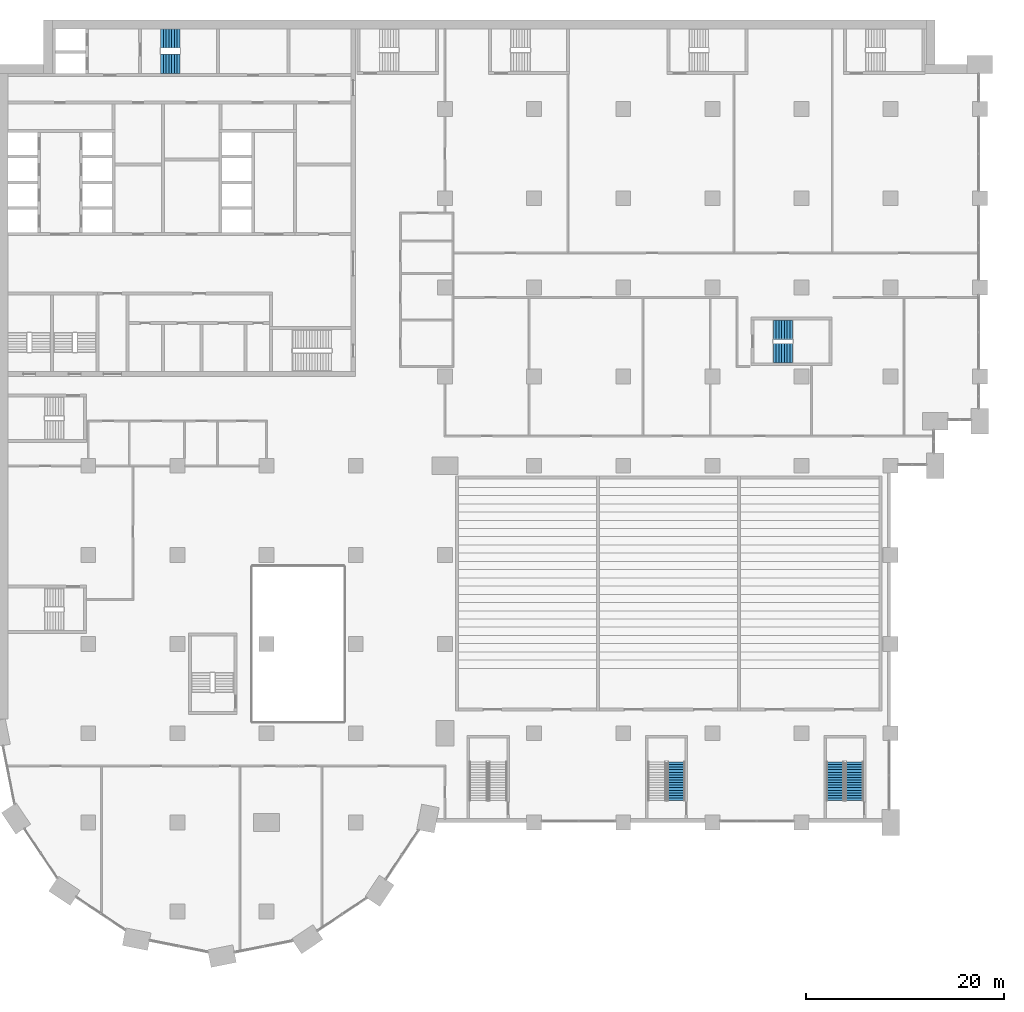
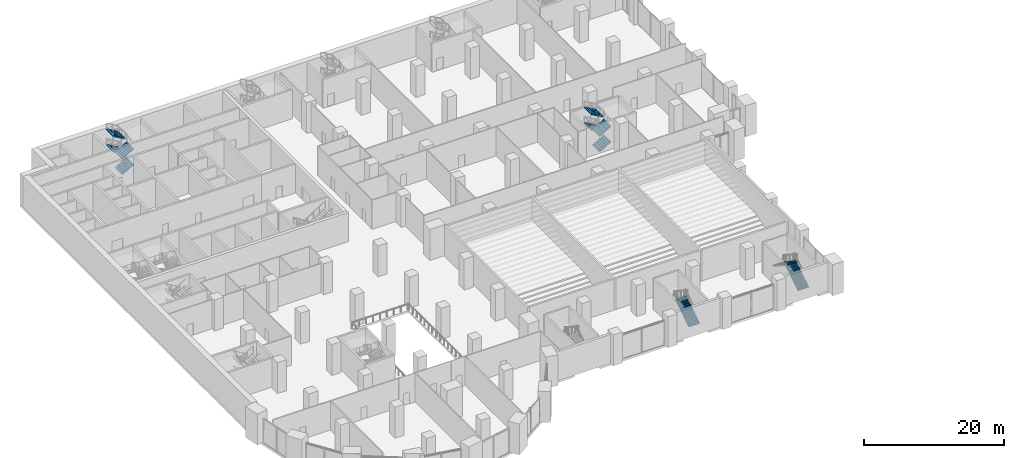
# One storey, part 27 of 44: 11 stair flights, 4 elements without a shape of their own.
"""IFC4 building model written with IfcOpenShell, lengths in metres."""

from ifc_helpers import new_model, si_unit, direction, frame, origin, place, context, subcontext, project, spatial, polyline, outline, extrude, material, type_object, element, aggregate, save


model = new_model("IFC4")

# Units and contexts
model_context = context("Model", 3, precision=1e-05, world=origin(), true_north=direction((0.0, 1.0)))
body_context = subcontext(model_context, "Body", "Model", "MODEL_VIEW")
ifc_project = project(units=[si_unit("LENGTHUNIT", "METRE"), si_unit("AREAUNIT", "SQUARE_METRE"), si_unit("VOLUMEUNIT", "CUBIC_METRE"), si_unit("PLANEANGLEUNIT", "RADIAN"), si_unit("MASSUNIT", "GRAM", prefix="KILO")], contexts=[model_context])

# Site, building, storey
site_placement = place(None, origin())
site = spatial("IfcSite", under=ifc_project, at=site_placement, CompositionType="ELEMENT")
building_placement = place(site_placement, origin())
building = spatial("IfcBuilding", under=site, at=building_placement, Name="Hunhe Ridgeline Campus", CompositionType="ELEMENT")
storey_placement = place(building_placement, frame((0.0, 0.0, 6.0)))
storey = spatial("IfcBuildingStorey", under=building, at=storey_placement, Name="L01", CompositionType="ELEMENT", Elevation=6.0)

# Stair, stair flight
ifc_material = material(Name="Concrete C40", Category="concrete")
stair_type_1 = type_object("IfcStairType", Name="Podium exit stair 1800", PredefinedType="HALF_TURN_STAIR", material=ifc_material)
stair_1_placement = place(storey_placement, origin())
stair_1 = element("IfcStair", 1, at=stair_1_placement, inside=storey, type_object=stair_type_1, Name="L01 podium stair PS2", PredefinedType="HALF_TURN_STAIR")
stair_flight_type_1 = type_object("IfcStairFlightType", Name="Podium stair flight 1800", PredefinedType="STRAIGHT", material=ifc_material)
stair_flight_1_placement = place(storey_placement, frame((68.35009765625, 20.199951171875, 0.0), z_axis=(0.0, 0.0, 1.0), x_axis=(0.0, 1.0, 0.0)))
stair_flight_1 = element("IfcStairFlight", 2, at=stair_flight_1_placement, type_object=stair_flight_type_1, Name="PS2 flight 1", NumberOfRisers=16, NumberOfTreads=15, PredefinedType="STRAIGHT", RiserHeight=0.16875, TreadLength=0.26, context=body_context, shape_type="SweptSolid", body=[
    extrude(outline(polyline([(0.0, 0.0), (0.0, 0.168701171875), (0.260009765625, 0.168701171875), (0.260009765625, 0.33740234375), (0.52001953125, 0.33740234375), (0.52001953125, 0.50634765625), (0.780029296875, 0.50634765625), (0.780029296875, 0.675048828125), (1.0400390625, 0.675048828125), (1.0400390625, 0.84375), (1.300048828125, 0.84375), (1.300048828125, 1.012451171875), (1.56005859375, 1.012451171875), (1.56005859375, 1.18115234375), (1.820068359375, 1.18115234375), (1.820068359375, 1.35009765625), (2.080078125, 1.35009765625), (2.080078125, 1.518798828125), (2.340087890625, 1.518798828125), (2.340087890625, 1.6875), (2.60009765625, 1.6875), (2.60009765625, 1.856201171875), (2.860107421875, 1.856201171875), (2.860107421875, 2.02490234375), (3.1201171875, 2.02490234375), (3.1201171875, 2.19384765625), (3.3798828125, 2.19384765625), (3.3798828125, 2.362548828125), (3.639892578125, 2.362548828125), (3.639892578125, 2.53125), (3.89990234375, 2.53125), (3.89990234375, 2.699951171875), (3.89990234375, 2.3525390625), (0.275390625, 0.0), (0.0, 0.0)])), frame((0.0, 0.89990234375, 0.0), z_axis=(0.0, -1.0, 0.0), x_axis=(1.0, 0.0, 0.0)), (0.0, 0.0, 1.0), 1.800048828125),
])
aggregate(stair_1, [stair_flight_1])

# Stair, stair flights
stair_2_placement = place(storey_placement, origin())
stair_2 = element("IfcStair", 3, at=stair_2_placement, inside=storey, type_object=stair_type_1, Name="L01 podium stair PS3", PredefinedType="HALF_TURN_STAIR")
stair_flight_2_placement = place(storey_placement, frame((86.35009765625, 20.199951171875, 0.0), z_axis=(0.0, 0.0, 1.0), x_axis=(0.0, 1.0, 0.0)))
stair_flight_2 = element("IfcStairFlight", 4, at=stair_flight_2_placement, type_object=stair_flight_type_1, Name="PS3 flight 1", NumberOfRisers=16, NumberOfTreads=15, PredefinedType="STRAIGHT", RiserHeight=0.16875, TreadLength=0.26, context=body_context, shape_type="SweptSolid", body=[
    extrude(outline(polyline([(0.0, 0.0), (0.0, 0.168701171875), (0.260009765625, 0.168701171875), (0.260009765625, 0.33740234375), (0.52001953125, 0.33740234375), (0.52001953125, 0.50634765625), (0.780029296875, 0.50634765625), (0.780029296875, 0.675048828125), (1.0400390625, 0.675048828125), (1.0400390625, 0.84375), (1.300048828125, 0.84375), (1.300048828125, 1.012451171875), (1.56005859375, 1.012451171875), (1.56005859375, 1.18115234375), (1.820068359375, 1.18115234375), (1.820068359375, 1.35009765625), (2.080078125, 1.35009765625), (2.080078125, 1.518798828125), (2.340087890625, 1.518798828125), (2.340087890625, 1.6875), (2.60009765625, 1.6875), (2.60009765625, 1.856201171875), (2.860107421875, 1.856201171875), (2.860107421875, 2.02490234375), (3.1201171875, 2.02490234375), (3.1201171875, 2.19384765625), (3.3798828125, 2.19384765625), (3.3798828125, 2.362548828125), (3.639892578125, 2.362548828125), (3.639892578125, 2.53125), (3.89990234375, 2.53125), (3.89990234375, 2.699951171875), (3.89990234375, 2.3525390625), (0.275390625, 0.0), (0.0, 0.0)])), frame((0.0, 0.89990234375, 0.0), z_axis=(0.0, -1.0, 0.0), x_axis=(1.0, 0.0, 0.0)), (0.0, 0.0, 1.0), 1.800048828125),
])
stair_flight_3_placement = place(storey_placement, frame((84.39990234375, 24.10009765625, 2.699951171875), z_axis=(0.0, 0.0, 1.0), x_axis=(0.0, -1.0, 0.0)))
stair_flight_3 = element("IfcStairFlight", 5, at=stair_flight_3_placement, type_object=stair_flight_type_1, Name="PS3 flight 2", NumberOfRisers=16, NumberOfTreads=15, PredefinedType="STRAIGHT", RiserHeight=0.16875, TreadLength=0.26, context=body_context, shape_type="SweptSolid", body=[
    extrude(outline(polyline([(0.0, 0.0), (0.0, 0.168701171875), (0.260009765625, 0.168701171875), (0.260009765625, 0.33740234375), (0.52001953125, 0.33740234375), (0.52001953125, 0.50634765625), (0.780029296875, 0.50634765625), (0.780029296875, 0.675048828125), (1.0400390625, 0.675048828125), (1.0400390625, 0.84375), (1.300048828125, 0.84375), (1.300048828125, 1.012451171875), (1.56005859375, 1.012451171875), (1.56005859375, 1.18115234375), (1.820068359375, 1.18115234375), (1.820068359375, 1.35009765625), (2.080078125, 1.35009765625), (2.080078125, 1.518798828125), (2.340087890625, 1.518798828125), (2.340087890625, 1.6875), (2.60009765625, 1.6875), (2.60009765625, 1.856201171875), (2.860107421875, 1.856201171875), (2.860107421875, 2.02490234375), (3.1201171875, 2.02490234375), (3.1201171875, 2.19384765625), (3.3798828125, 2.19384765625), (3.3798828125, 2.362548828125), (3.639892578125, 2.362548828125), (3.639892578125, 2.53125), (3.89990234375, 2.53125), (3.89990234375, 2.699951171875), (3.89990234375, 2.3525390625), (0.275390625, 0.0), (0.0, 0.0)])), frame((0.0, 0.89990234375, 0.0), z_axis=(0.0, -1.0, 0.0), x_axis=(1.0, 0.0, 0.0)), (0.0, 0.0, 1.0), 1.800048828125),
])
aggregate(stair_2, [stair_flight_2, stair_flight_3])

stair_type_2 = type_object("IfcStairType", Name="Reinforced concrete dog-leg stair 1950 Concrete C40", PredefinedType="HALF_TURN_STAIR", material=ifc_material)
stair_3_placement = place(storey_placement, origin())
stair_3 = element("IfcStair", 6, at=stair_3_placement, inside=storey, type_object=stair_type_2, Name="L01 S1", PredefinedType="HALF_TURN_STAIR")
stair_flight_type_2 = type_object("IfcStairFlightType", Name="Reinforced concrete stair flight 1950 Concrete C40", PredefinedType="STRAIGHT", material=ifc_material)
stair_flight_4_placement = place(storey_placement, frame((16.300048828125, 94.574951171875, 0.0), z_axis=(0.0, 0.0, 1.0), x_axis=(1.0, 0.0, 0.0)))
stair_flight_4 = element("IfcStairFlight", 7, at=stair_flight_4_placement, type_object=stair_flight_type_2, Name="ST1 flight 1", NumberOfRisers=8, NumberOfTreads=7, PredefinedType="STRAIGHT", RiserHeight=0.16875, TreadLength=0.28, context=body_context, shape_type="SweptSolid", body=[
    extrude(outline(polyline([(0.0, 0.0), (0.0, 0.168701171875), (0.280029296875, 0.168701171875), (0.280029296875, 0.33740234375), (0.56005859375, 0.33740234375), (0.56005859375, 0.50634765625), (0.840087890625, 0.50634765625), (0.840087890625, 0.675048828125), (1.1201171875, 0.675048828125), (1.1201171875, 0.84375), (1.39990234375, 0.84375), (1.39990234375, 1.012451171875), (1.679931640625, 1.012451171875), (1.679931640625, 1.18115234375), (1.9599609375, 1.18115234375), (1.9599609375, 1.35009765625), (1.9599609375, 1.00634765625), (0.29052734375, 0.0), (0.0, 0.0)])), frame((0.0, 0.97509765625, 0.0), z_axis=(0.0, -1.0, 0.0), x_axis=(1.0, 0.0, 0.0)), (0.0, 0.0, 1.0), 1.949951171875),
    extrude(outline(polyline([(0.030029296875, 0.030029296875), (0.030029296875, 0.138916015625), (0.31005859375, 0.138916015625), (0.31005859375, 0.3076171875), (0.590087890625, 0.3076171875), (0.590087890625, 0.476318359375), (0.8701171875, 0.476318359375), (0.8701171875, 0.64501953125), (1.14990234375, 0.64501953125), (1.14990234375, 0.813720703125), (1.429931640625, 0.813720703125), (1.429931640625, 0.982421875), (1.7099609375, 0.982421875), (1.7099609375, 1.1513671875), (1.929931640625, 1.1513671875), (1.929931640625, 1.023193359375), (0.281982421875, 0.030029296875), (0.030029296875, 0.030029296875)])), frame((0.0, -0.070068359375, 0.0), z_axis=(0.0, -1.0, 0.0), x_axis=(1.0, 0.0, 0.0)), (0.0, 0.0, 1.0), 0.019775390625),
    extrude(outline(polyline([(0.030029296875, 0.030029296875), (0.030029296875, 0.138916015625), (0.31005859375, 0.138916015625), (0.31005859375, 0.3076171875), (0.590087890625, 0.3076171875), (0.590087890625, 0.476318359375), (0.8701171875, 0.476318359375), (0.8701171875, 0.64501953125), (1.14990234375, 0.64501953125), (1.14990234375, 0.813720703125), (1.429931640625, 0.813720703125), (1.429931640625, 0.982421875), (1.7099609375, 0.982421875), (1.7099609375, 1.1513671875), (1.929931640625, 1.1513671875), (1.929931640625, 1.023193359375), (0.281982421875, 0.030029296875), (0.030029296875, 0.030029296875)])), frame((0.0, 0.010009765625, 0.0), z_axis=(0.0, -1.0, 0.0), x_axis=(1.0, 0.0, 0.0)), (0.0, 0.0, 1.0), 0.019775390625),
    extrude(outline(polyline([(0.030029296875, 0.030029296875), (0.030029296875, 0.138916015625), (0.31005859375, 0.138916015625), (0.31005859375, 0.3076171875), (0.590087890625, 0.3076171875), (0.590087890625, 0.476318359375), (0.8701171875, 0.476318359375), (0.8701171875, 0.64501953125), (1.14990234375, 0.64501953125), (1.14990234375, 0.813720703125), (1.429931640625, 0.813720703125), (1.429931640625, 0.982421875), (1.7099609375, 0.982421875), (1.7099609375, 1.1513671875), (1.929931640625, 1.1513671875), (1.929931640625, 1.023193359375), (0.281982421875, 0.030029296875), (0.030029296875, 0.030029296875)])), frame((0.0, 0.090087890625, 0.0), z_axis=(0.0, -1.0, 0.0), x_axis=(1.0, 0.0, 0.0)), (0.0, 0.0, 1.0), 0.019775390625),
])
stair_flight_5_placement = place(storey_placement, frame((18.260009765625, 97.125, 1.35009765625), z_axis=(0.0, 0.0, 1.0), x_axis=(-1.0, 0.0, 0.0)))
stair_flight_5 = element("IfcStairFlight", 8, at=stair_flight_5_placement, type_object=stair_flight_type_2, Name="ST1 flight 2", NumberOfRisers=8, NumberOfTreads=7, PredefinedType="STRAIGHT", RiserHeight=0.16875, TreadLength=0.28, context=body_context, shape_type="SweptSolid", body=[
    extrude(outline(polyline([(0.0, 0.0), (0.0, 0.168701171875), (0.280029296875, 0.168701171875), (0.280029296875, 0.33740234375), (0.56005859375, 0.33740234375), (0.56005859375, 0.50634765625), (0.840087890625, 0.50634765625), (0.840087890625, 0.675048828125), (1.1201171875, 0.675048828125), (1.1201171875, 0.84375), (1.39990234375, 0.84375), (1.39990234375, 1.012451171875), (1.679931640625, 1.012451171875), (1.679931640625, 1.18115234375), (1.9599609375, 1.18115234375), (1.9599609375, 1.35009765625), (1.9599609375, 1.00634765625), (0.29052734375, 0.0), (0.0, 0.0)])), frame((0.0, 0.97509765625, 0.0), z_axis=(0.0, -1.0, 0.0), x_axis=(1.0, 0.0, 0.0)), (0.0, 0.0, 1.0), 1.949951171875),
    extrude(outline(polyline([(0.030029296875, 0.030029296875), (0.030029296875, 0.138916015625), (0.31005859375, 0.138916015625), (0.31005859375, 0.3076171875), (0.590087890625, 0.3076171875), (0.590087890625, 0.476318359375), (0.8701171875, 0.476318359375), (0.8701171875, 0.64501953125), (1.14990234375, 0.64501953125), (1.14990234375, 0.813720703125), (1.429931640625, 0.813720703125), (1.429931640625, 0.982421875), (1.7099609375, 0.982421875), (1.7099609375, 1.1513671875), (1.929931640625, 1.1513671875), (1.929931640625, 1.023193359375), (0.281982421875, 0.030029296875), (0.030029296875, 0.030029296875)])), frame((0.0, -0.070068359375, 0.0), z_axis=(0.0, -1.0, 0.0), x_axis=(1.0, 0.0, 0.0)), (0.0, 0.0, 1.0), 0.019775390625),
    extrude(outline(polyline([(0.030029296875, 0.030029296875), (0.030029296875, 0.138916015625), (0.31005859375, 0.138916015625), (0.31005859375, 0.3076171875), (0.590087890625, 0.3076171875), (0.590087890625, 0.476318359375), (0.8701171875, 0.476318359375), (0.8701171875, 0.64501953125), (1.14990234375, 0.64501953125), (1.14990234375, 0.813720703125), (1.429931640625, 0.813720703125), (1.429931640625, 0.982421875), (1.7099609375, 0.982421875), (1.7099609375, 1.1513671875), (1.929931640625, 1.1513671875), (1.929931640625, 1.023193359375), (0.281982421875, 0.030029296875), (0.030029296875, 0.030029296875)])), frame((0.0, 0.010009765625, 0.0), z_axis=(0.0, -1.0, 0.0), x_axis=(1.0, 0.0, 0.0)), (0.0, 0.0, 1.0), 0.019775390625),
    extrude(outline(polyline([(0.030029296875, 0.030029296875), (0.030029296875, 0.138916015625), (0.31005859375, 0.138916015625), (0.31005859375, 0.3076171875), (0.590087890625, 0.3076171875), (0.590087890625, 0.476318359375), (0.8701171875, 0.476318359375), (0.8701171875, 0.64501953125), (1.14990234375, 0.64501953125), (1.14990234375, 0.813720703125), (1.429931640625, 0.813720703125), (1.429931640625, 0.982421875), (1.7099609375, 0.982421875), (1.7099609375, 1.1513671875), (1.929931640625, 1.1513671875), (1.929931640625, 1.023193359375), (0.281982421875, 0.030029296875), (0.030029296875, 0.030029296875)])), frame((0.0, 0.090087890625, 0.0), z_axis=(0.0, -1.0, 0.0), x_axis=(1.0, 0.0, 0.0)), (0.0, 0.0, 1.0), 0.019775390625),
])
stair_flight_6_placement = place(storey_placement, frame((16.300048828125, 94.574951171875, 2.699951171875), z_axis=(0.0, 0.0, 1.0), x_axis=(1.0, 0.0, 0.0)))
stair_flight_6 = element("IfcStairFlight", 9, at=stair_flight_6_placement, type_object=stair_flight_type_2, Name="ST1 flight 3", NumberOfRisers=8, NumberOfTreads=7, PredefinedType="STRAIGHT", RiserHeight=0.16875, TreadLength=0.28, context=body_context, shape_type="SweptSolid", body=[
    extrude(outline(polyline([(0.0, 0.0), (0.0, 0.168701171875), (0.280029296875, 0.168701171875), (0.280029296875, 0.33740234375), (0.56005859375, 0.33740234375), (0.56005859375, 0.50634765625), (0.840087890625, 0.50634765625), (0.840087890625, 0.675048828125), (1.1201171875, 0.675048828125), (1.1201171875, 0.84375), (1.39990234375, 0.84375), (1.39990234375, 1.012451171875), (1.679931640625, 1.012451171875), (1.679931640625, 1.18115234375), (1.9599609375, 1.18115234375), (1.9599609375, 1.35009765625), (1.9599609375, 1.00634765625), (0.29052734375, 0.0), (0.0, 0.0)])), frame((0.0, 0.97509765625, 0.0), z_axis=(0.0, -1.0, 0.0), x_axis=(1.0, 0.0, 0.0)), (0.0, 0.0, 1.0), 1.949951171875),
    extrude(outline(polyline([(0.030029296875, 0.030029296875), (0.030029296875, 0.138916015625), (0.31005859375, 0.138916015625), (0.31005859375, 0.3076171875), (0.590087890625, 0.3076171875), (0.590087890625, 0.476318359375), (0.8701171875, 0.476318359375), (0.8701171875, 0.64501953125), (1.14990234375, 0.64501953125), (1.14990234375, 0.813720703125), (1.429931640625, 0.813720703125), (1.429931640625, 0.982421875), (1.7099609375, 0.982421875), (1.7099609375, 1.1513671875), (1.929931640625, 1.1513671875), (1.929931640625, 1.023193359375), (0.281982421875, 0.030029296875), (0.030029296875, 0.030029296875)])), frame((0.0, -0.070068359375, 0.0), z_axis=(0.0, -1.0, 0.0), x_axis=(1.0, 0.0, 0.0)), (0.0, 0.0, 1.0), 0.019775390625),
    extrude(outline(polyline([(0.030029296875, 0.030029296875), (0.030029296875, 0.138916015625), (0.31005859375, 0.138916015625), (0.31005859375, 0.3076171875), (0.590087890625, 0.3076171875), (0.590087890625, 0.476318359375), (0.8701171875, 0.476318359375), (0.8701171875, 0.64501953125), (1.14990234375, 0.64501953125), (1.14990234375, 0.813720703125), (1.429931640625, 0.813720703125), (1.429931640625, 0.982421875), (1.7099609375, 0.982421875), (1.7099609375, 1.1513671875), (1.929931640625, 1.1513671875), (1.929931640625, 1.023193359375), (0.281982421875, 0.030029296875), (0.030029296875, 0.030029296875)])), frame((0.0, 0.010009765625, 0.0), z_axis=(0.0, -1.0, 0.0), x_axis=(1.0, 0.0, 0.0)), (0.0, 0.0, 1.0), 0.019775390625),
    extrude(outline(polyline([(0.030029296875, 0.030029296875), (0.030029296875, 0.138916015625), (0.31005859375, 0.138916015625), (0.31005859375, 0.3076171875), (0.590087890625, 0.3076171875), (0.590087890625, 0.476318359375), (0.8701171875, 0.476318359375), (0.8701171875, 0.64501953125), (1.14990234375, 0.64501953125), (1.14990234375, 0.813720703125), (1.429931640625, 0.813720703125), (1.429931640625, 0.982421875), (1.7099609375, 0.982421875), (1.7099609375, 1.1513671875), (1.929931640625, 1.1513671875), (1.929931640625, 1.023193359375), (0.281982421875, 0.030029296875), (0.030029296875, 0.030029296875)])), frame((0.0, 0.090087890625, 0.0), z_axis=(0.0, -1.0, 0.0), x_axis=(1.0, 0.0, 0.0)), (0.0, 0.0, 1.0), 0.019775390625),
])
stair_flight_7_placement = place(storey_placement, frame((18.260009765625, 97.125, 4.050048828125), z_axis=(0.0, 0.0, 1.0), x_axis=(-1.0, 0.0, 0.0)))
stair_flight_7 = element("IfcStairFlight", 10, at=stair_flight_7_placement, type_object=stair_flight_type_2, Name="ST1 flight 4", NumberOfRisers=8, NumberOfTreads=7, PredefinedType="STRAIGHT", RiserHeight=0.16875, TreadLength=0.28, context=body_context, shape_type="SweptSolid", body=[
    extrude(outline(polyline([(0.0, 0.0), (0.0, 0.168701171875), (0.280029296875, 0.168701171875), (0.280029296875, 0.33740234375), (0.56005859375, 0.33740234375), (0.56005859375, 0.50634765625), (0.840087890625, 0.50634765625), (0.840087890625, 0.675048828125), (1.1201171875, 0.675048828125), (1.1201171875, 0.84375), (1.39990234375, 0.84375), (1.39990234375, 1.012451171875), (1.679931640625, 1.012451171875), (1.679931640625, 1.18115234375), (1.9599609375, 1.18115234375), (1.9599609375, 1.35009765625), (1.9599609375, 1.00634765625), (0.29052734375, 0.0), (0.0, 0.0)])), frame((0.0, 0.97509765625, 0.0), z_axis=(0.0, -1.0, 0.0), x_axis=(1.0, 0.0, 0.0)), (0.0, 0.0, 1.0), 1.949951171875),
    extrude(outline(polyline([(0.030029296875, 0.030029296875), (0.030029296875, 0.138916015625), (0.31005859375, 0.138916015625), (0.31005859375, 0.3076171875), (0.590087890625, 0.3076171875), (0.590087890625, 0.476318359375), (0.8701171875, 0.476318359375), (0.8701171875, 0.64501953125), (1.14990234375, 0.64501953125), (1.14990234375, 0.813720703125), (1.429931640625, 0.813720703125), (1.429931640625, 0.982421875), (1.7099609375, 0.982421875), (1.7099609375, 1.1513671875), (1.929931640625, 1.1513671875), (1.929931640625, 1.023193359375), (0.281982421875, 0.030029296875), (0.030029296875, 0.030029296875)])), frame((0.0, -0.070068359375, 0.0), z_axis=(0.0, -1.0, 0.0), x_axis=(1.0, 0.0, 0.0)), (0.0, 0.0, 1.0), 0.019775390625),
    extrude(outline(polyline([(0.030029296875, 0.030029296875), (0.030029296875, 0.138916015625), (0.31005859375, 0.138916015625), (0.31005859375, 0.3076171875), (0.590087890625, 0.3076171875), (0.590087890625, 0.476318359375), (0.8701171875, 0.476318359375), (0.8701171875, 0.64501953125), (1.14990234375, 0.64501953125), (1.14990234375, 0.813720703125), (1.429931640625, 0.813720703125), (1.429931640625, 0.982421875), (1.7099609375, 0.982421875), (1.7099609375, 1.1513671875), (1.929931640625, 1.1513671875), (1.929931640625, 1.023193359375), (0.281982421875, 0.030029296875), (0.030029296875, 0.030029296875)])), frame((0.0, 0.010009765625, 0.0), z_axis=(0.0, -1.0, 0.0), x_axis=(1.0, 0.0, 0.0)), (0.0, 0.0, 1.0), 0.019775390625),
    extrude(outline(polyline([(0.030029296875, 0.030029296875), (0.030029296875, 0.138916015625), (0.31005859375, 0.138916015625), (0.31005859375, 0.3076171875), (0.590087890625, 0.3076171875), (0.590087890625, 0.476318359375), (0.8701171875, 0.476318359375), (0.8701171875, 0.64501953125), (1.14990234375, 0.64501953125), (1.14990234375, 0.813720703125), (1.429931640625, 0.813720703125), (1.429931640625, 0.982421875), (1.7099609375, 0.982421875), (1.7099609375, 1.1513671875), (1.929931640625, 1.1513671875), (1.929931640625, 1.023193359375), (0.281982421875, 0.030029296875), (0.030029296875, 0.030029296875)])), frame((0.0, 0.090087890625, 0.0), z_axis=(0.0, -1.0, 0.0), x_axis=(1.0, 0.0, 0.0)), (0.0, 0.0, 1.0), 0.019775390625),
])
aggregate(stair_3, [stair_flight_4, stair_flight_5, stair_flight_6, stair_flight_7])

stair_4_placement = place(storey_placement, origin())
stair_4 = element("IfcStair", 11, at=stair_4_placement, inside=storey, type_object=stair_type_2, Name="L01 E5", PredefinedType="HALF_TURN_STAIR")
stair_flight_8_placement = place(storey_placement, frame((78.14990234375, 65.375, 0.0), z_axis=(0.0, 0.0, 1.0), x_axis=(1.0, 0.0, 0.0)))
stair_flight_8 = element("IfcStairFlight", 12, at=stair_flight_8_placement, type_object=stair_flight_type_2, Name="ST10 flight 1", NumberOfRisers=8, NumberOfTreads=7, PredefinedType="STRAIGHT", RiserHeight=0.16875, TreadLength=0.28, context=body_context, shape_type="SweptSolid", body=[
    extrude(outline(polyline([(0.0, 0.0), (0.0, 0.168701171875), (0.280029296875, 0.168701171875), (0.280029296875, 0.33740234375), (0.56005859375, 0.33740234375), (0.56005859375, 0.50634765625), (0.840087890625, 0.50634765625), (0.840087890625, 0.675048828125), (1.1201171875, 0.675048828125), (1.1201171875, 0.84375), (1.39990234375, 0.84375), (1.39990234375, 1.012451171875), (1.679931640625, 1.012451171875), (1.679931640625, 1.18115234375), (1.9599609375, 1.18115234375), (1.9599609375, 1.35009765625), (1.9599609375, 1.00634765625), (0.29052734375, 0.0), (0.0, 0.0)])), frame((0.0, 0.97509765625, 0.0), z_axis=(0.0, -1.0, 0.0), x_axis=(1.0, 0.0, 0.0)), (0.0, 0.0, 1.0), 1.949951171875),
    extrude(outline(polyline([(0.030029296875, 0.030029296875), (0.030029296875, 0.138916015625), (0.31005859375, 0.138916015625), (0.31005859375, 0.3076171875), (0.590087890625, 0.3076171875), (0.590087890625, 0.476318359375), (0.8701171875, 0.476318359375), (0.8701171875, 0.64501953125), (1.14990234375, 0.64501953125), (1.14990234375, 0.813720703125), (1.429931640625, 0.813720703125), (1.429931640625, 0.982421875), (1.7099609375, 0.982421875), (1.7099609375, 1.1513671875), (1.929931640625, 1.1513671875), (1.929931640625, 1.023193359375), (0.281982421875, 0.030029296875), (0.030029296875, 0.030029296875)])), frame((0.0, -0.070068359375, 0.0), z_axis=(0.0, -1.0, 0.0), x_axis=(1.0, 0.0, 0.0)), (0.0, 0.0, 1.0), 0.019775390625),
    extrude(outline(polyline([(0.030029296875, 0.030029296875), (0.030029296875, 0.138916015625), (0.31005859375, 0.138916015625), (0.31005859375, 0.3076171875), (0.590087890625, 0.3076171875), (0.590087890625, 0.476318359375), (0.8701171875, 0.476318359375), (0.8701171875, 0.64501953125), (1.14990234375, 0.64501953125), (1.14990234375, 0.813720703125), (1.429931640625, 0.813720703125), (1.429931640625, 0.982421875), (1.7099609375, 0.982421875), (1.7099609375, 1.1513671875), (1.929931640625, 1.1513671875), (1.929931640625, 1.023193359375), (0.281982421875, 0.030029296875), (0.030029296875, 0.030029296875)])), frame((0.0, 0.010009765625, 0.0), z_axis=(0.0, -1.0, 0.0), x_axis=(1.0, 0.0, 0.0)), (0.0, 0.0, 1.0), 0.019775390625),
    extrude(outline(polyline([(0.030029296875, 0.030029296875), (0.030029296875, 0.138916015625), (0.31005859375, 0.138916015625), (0.31005859375, 0.3076171875), (0.590087890625, 0.3076171875), (0.590087890625, 0.476318359375), (0.8701171875, 0.476318359375), (0.8701171875, 0.64501953125), (1.14990234375, 0.64501953125), (1.14990234375, 0.813720703125), (1.429931640625, 0.813720703125), (1.429931640625, 0.982421875), (1.7099609375, 0.982421875), (1.7099609375, 1.1513671875), (1.929931640625, 1.1513671875), (1.929931640625, 1.023193359375), (0.281982421875, 0.030029296875), (0.030029296875, 0.030029296875)])), frame((0.0, 0.090087890625, 0.0), z_axis=(0.0, -1.0, 0.0), x_axis=(1.0, 0.0, 0.0)), (0.0, 0.0, 1.0), 0.019775390625),
])
stair_flight_9_placement = place(storey_placement, frame((80.110107421875, 67.72509765625, 1.35009765625), z_axis=(0.0, 0.0, 1.0), x_axis=(-1.0, 0.0, 0.0)))
stair_flight_9 = element("IfcStairFlight", 13, at=stair_flight_9_placement, type_object=stair_flight_type_2, Name="ST10 flight 2", NumberOfRisers=8, NumberOfTreads=7, PredefinedType="STRAIGHT", RiserHeight=0.16875, TreadLength=0.28, context=body_context, shape_type="SweptSolid", body=[
    extrude(outline(polyline([(0.0, 0.0), (0.0, 0.168701171875), (0.280029296875, 0.168701171875), (0.280029296875, 0.33740234375), (0.56005859375, 0.33740234375), (0.56005859375, 0.50634765625), (0.840087890625, 0.50634765625), (0.840087890625, 0.675048828125), (1.1201171875, 0.675048828125), (1.1201171875, 0.84375), (1.39990234375, 0.84375), (1.39990234375, 1.012451171875), (1.679931640625, 1.012451171875), (1.679931640625, 1.18115234375), (1.9599609375, 1.18115234375), (1.9599609375, 1.35009765625), (1.9599609375, 1.00634765625), (0.29052734375, 0.0), (0.0, 0.0)])), frame((0.0, 0.97509765625, 0.0), z_axis=(0.0, -1.0, 0.0), x_axis=(1.0, 0.0, 0.0)), (0.0, 0.0, 1.0), 1.949951171875),
    extrude(outline(polyline([(0.030029296875, 0.030029296875), (0.030029296875, 0.138916015625), (0.31005859375, 0.138916015625), (0.31005859375, 0.3076171875), (0.590087890625, 0.3076171875), (0.590087890625, 0.476318359375), (0.8701171875, 0.476318359375), (0.8701171875, 0.64501953125), (1.14990234375, 0.64501953125), (1.14990234375, 0.813720703125), (1.429931640625, 0.813720703125), (1.429931640625, 0.982421875), (1.7099609375, 0.982421875), (1.7099609375, 1.1513671875), (1.929931640625, 1.1513671875), (1.929931640625, 1.023193359375), (0.281982421875, 0.030029296875), (0.030029296875, 0.030029296875)])), frame((0.0, -0.070068359375, 0.0), z_axis=(0.0, -1.0, 0.0), x_axis=(1.0, 0.0, 0.0)), (0.0, 0.0, 1.0), 0.019775390625),
    extrude(outline(polyline([(0.030029296875, 0.030029296875), (0.030029296875, 0.138916015625), (0.31005859375, 0.138916015625), (0.31005859375, 0.3076171875), (0.590087890625, 0.3076171875), (0.590087890625, 0.476318359375), (0.8701171875, 0.476318359375), (0.8701171875, 0.64501953125), (1.14990234375, 0.64501953125), (1.14990234375, 0.813720703125), (1.429931640625, 0.813720703125), (1.429931640625, 0.982421875), (1.7099609375, 0.982421875), (1.7099609375, 1.1513671875), (1.929931640625, 1.1513671875), (1.929931640625, 1.023193359375), (0.281982421875, 0.030029296875), (0.030029296875, 0.030029296875)])), frame((0.0, 0.010009765625, 0.0), z_axis=(0.0, -1.0, 0.0), x_axis=(1.0, 0.0, 0.0)), (0.0, 0.0, 1.0), 0.019775390625),
    extrude(outline(polyline([(0.030029296875, 0.030029296875), (0.030029296875, 0.138916015625), (0.31005859375, 0.138916015625), (0.31005859375, 0.3076171875), (0.590087890625, 0.3076171875), (0.590087890625, 0.476318359375), (0.8701171875, 0.476318359375), (0.8701171875, 0.64501953125), (1.14990234375, 0.64501953125), (1.14990234375, 0.813720703125), (1.429931640625, 0.813720703125), (1.429931640625, 0.982421875), (1.7099609375, 0.982421875), (1.7099609375, 1.1513671875), (1.929931640625, 1.1513671875), (1.929931640625, 1.023193359375), (0.281982421875, 0.030029296875), (0.030029296875, 0.030029296875)])), frame((0.0, 0.090087890625, 0.0), z_axis=(0.0, -1.0, 0.0), x_axis=(1.0, 0.0, 0.0)), (0.0, 0.0, 1.0), 0.019775390625),
])
stair_flight_10_placement = place(storey_placement, frame((78.14990234375, 65.375, 2.699951171875), z_axis=(0.0, 0.0, 1.0), x_axis=(1.0, 0.0, 0.0)))
stair_flight_10 = element("IfcStairFlight", 14, at=stair_flight_10_placement, type_object=stair_flight_type_2, Name="ST10 flight 3", NumberOfRisers=8, NumberOfTreads=7, PredefinedType="STRAIGHT", RiserHeight=0.16875, TreadLength=0.28, context=body_context, shape_type="SweptSolid", body=[
    extrude(outline(polyline([(0.0, 0.0), (0.0, 0.168701171875), (0.280029296875, 0.168701171875), (0.280029296875, 0.33740234375), (0.56005859375, 0.33740234375), (0.56005859375, 0.50634765625), (0.840087890625, 0.50634765625), (0.840087890625, 0.675048828125), (1.1201171875, 0.675048828125), (1.1201171875, 0.84375), (1.39990234375, 0.84375), (1.39990234375, 1.012451171875), (1.679931640625, 1.012451171875), (1.679931640625, 1.18115234375), (1.9599609375, 1.18115234375), (1.9599609375, 1.35009765625), (1.9599609375, 1.00634765625), (0.29052734375, 0.0), (0.0, 0.0)])), frame((0.0, 0.97509765625, 0.0), z_axis=(0.0, -1.0, 0.0), x_axis=(1.0, 0.0, 0.0)), (0.0, 0.0, 1.0), 1.949951171875),
    extrude(outline(polyline([(0.030029296875, 0.030029296875), (0.030029296875, 0.138916015625), (0.31005859375, 0.138916015625), (0.31005859375, 0.3076171875), (0.590087890625, 0.3076171875), (0.590087890625, 0.476318359375), (0.8701171875, 0.476318359375), (0.8701171875, 0.64501953125), (1.14990234375, 0.64501953125), (1.14990234375, 0.813720703125), (1.429931640625, 0.813720703125), (1.429931640625, 0.982421875), (1.7099609375, 0.982421875), (1.7099609375, 1.1513671875), (1.929931640625, 1.1513671875), (1.929931640625, 1.023193359375), (0.281982421875, 0.030029296875), (0.030029296875, 0.030029296875)])), frame((0.0, -0.070068359375, 0.0), z_axis=(0.0, -1.0, 0.0), x_axis=(1.0, 0.0, 0.0)), (0.0, 0.0, 1.0), 0.019775390625),
    extrude(outline(polyline([(0.030029296875, 0.030029296875), (0.030029296875, 0.138916015625), (0.31005859375, 0.138916015625), (0.31005859375, 0.3076171875), (0.590087890625, 0.3076171875), (0.590087890625, 0.476318359375), (0.8701171875, 0.476318359375), (0.8701171875, 0.64501953125), (1.14990234375, 0.64501953125), (1.14990234375, 0.813720703125), (1.429931640625, 0.813720703125), (1.429931640625, 0.982421875), (1.7099609375, 0.982421875), (1.7099609375, 1.1513671875), (1.929931640625, 1.1513671875), (1.929931640625, 1.023193359375), (0.281982421875, 0.030029296875), (0.030029296875, 0.030029296875)])), frame((0.0, 0.010009765625, 0.0), z_axis=(0.0, -1.0, 0.0), x_axis=(1.0, 0.0, 0.0)), (0.0, 0.0, 1.0), 0.019775390625),
    extrude(outline(polyline([(0.030029296875, 0.030029296875), (0.030029296875, 0.138916015625), (0.31005859375, 0.138916015625), (0.31005859375, 0.3076171875), (0.590087890625, 0.3076171875), (0.590087890625, 0.476318359375), (0.8701171875, 0.476318359375), (0.8701171875, 0.64501953125), (1.14990234375, 0.64501953125), (1.14990234375, 0.813720703125), (1.429931640625, 0.813720703125), (1.429931640625, 0.982421875), (1.7099609375, 0.982421875), (1.7099609375, 1.1513671875), (1.929931640625, 1.1513671875), (1.929931640625, 1.023193359375), (0.281982421875, 0.030029296875), (0.030029296875, 0.030029296875)])), frame((0.0, 0.090087890625, 0.0), z_axis=(0.0, -1.0, 0.0), x_axis=(1.0, 0.0, 0.0)), (0.0, 0.0, 1.0), 0.019775390625),
])
stair_flight_11_placement = place(storey_placement, frame((80.110107421875, 67.72509765625, 4.050048828125), z_axis=(0.0, 0.0, 1.0), x_axis=(-1.0, 0.0, 0.0)))
stair_flight_11 = element("IfcStairFlight", 15, at=stair_flight_11_placement, type_object=stair_flight_type_2, Name="ST10 flight 4", NumberOfRisers=8, NumberOfTreads=7, PredefinedType="STRAIGHT", RiserHeight=0.16875, TreadLength=0.28, context=body_context, shape_type="SweptSolid", body=[
    extrude(outline(polyline([(0.0, 0.0), (0.0, 0.168701171875), (0.280029296875, 0.168701171875), (0.280029296875, 0.33740234375), (0.56005859375, 0.33740234375), (0.56005859375, 0.50634765625), (0.840087890625, 0.50634765625), (0.840087890625, 0.675048828125), (1.1201171875, 0.675048828125), (1.1201171875, 0.84375), (1.39990234375, 0.84375), (1.39990234375, 1.012451171875), (1.679931640625, 1.012451171875), (1.679931640625, 1.18115234375), (1.9599609375, 1.18115234375), (1.9599609375, 1.35009765625), (1.9599609375, 1.00634765625), (0.29052734375, 0.0), (0.0, 0.0)])), frame((0.0, 0.97509765625, 0.0), z_axis=(0.0, -1.0, 0.0), x_axis=(1.0, 0.0, 0.0)), (0.0, 0.0, 1.0), 1.949951171875),
    extrude(outline(polyline([(0.030029296875, 0.030029296875), (0.030029296875, 0.138916015625), (0.31005859375, 0.138916015625), (0.31005859375, 0.3076171875), (0.590087890625, 0.3076171875), (0.590087890625, 0.476318359375), (0.8701171875, 0.476318359375), (0.8701171875, 0.64501953125), (1.14990234375, 0.64501953125), (1.14990234375, 0.813720703125), (1.429931640625, 0.813720703125), (1.429931640625, 0.982421875), (1.7099609375, 0.982421875), (1.7099609375, 1.1513671875), (1.929931640625, 1.1513671875), (1.929931640625, 1.023193359375), (0.281982421875, 0.030029296875), (0.030029296875, 0.030029296875)])), frame((0.0, -0.070068359375, 0.0), z_axis=(0.0, -1.0, 0.0), x_axis=(1.0, 0.0, 0.0)), (0.0, 0.0, 1.0), 0.019775390625),
    extrude(outline(polyline([(0.030029296875, 0.030029296875), (0.030029296875, 0.138916015625), (0.31005859375, 0.138916015625), (0.31005859375, 0.3076171875), (0.590087890625, 0.3076171875), (0.590087890625, 0.476318359375), (0.8701171875, 0.476318359375), (0.8701171875, 0.64501953125), (1.14990234375, 0.64501953125), (1.14990234375, 0.813720703125), (1.429931640625, 0.813720703125), (1.429931640625, 0.982421875), (1.7099609375, 0.982421875), (1.7099609375, 1.1513671875), (1.929931640625, 1.1513671875), (1.929931640625, 1.023193359375), (0.281982421875, 0.030029296875), (0.030029296875, 0.030029296875)])), frame((0.0, 0.010009765625, 0.0), z_axis=(0.0, -1.0, 0.0), x_axis=(1.0, 0.0, 0.0)), (0.0, 0.0, 1.0), 0.019775390625),
    extrude(outline(polyline([(0.030029296875, 0.030029296875), (0.030029296875, 0.138916015625), (0.31005859375, 0.138916015625), (0.31005859375, 0.3076171875), (0.590087890625, 0.3076171875), (0.590087890625, 0.476318359375), (0.8701171875, 0.476318359375), (0.8701171875, 0.64501953125), (1.14990234375, 0.64501953125), (1.14990234375, 0.813720703125), (1.429931640625, 0.813720703125), (1.429931640625, 0.982421875), (1.7099609375, 0.982421875), (1.7099609375, 1.1513671875), (1.929931640625, 1.1513671875), (1.929931640625, 1.023193359375), (0.281982421875, 0.030029296875), (0.030029296875, 0.030029296875)])), frame((0.0, 0.090087890625, 0.0), z_axis=(0.0, -1.0, 0.0), x_axis=(1.0, 0.0, 0.0)), (0.0, 0.0, 1.0), 0.019775390625),
])
aggregate(stair_4, [stair_flight_8, stair_flight_9, stair_flight_10, stair_flight_11])

save(model, "model.ifc")
